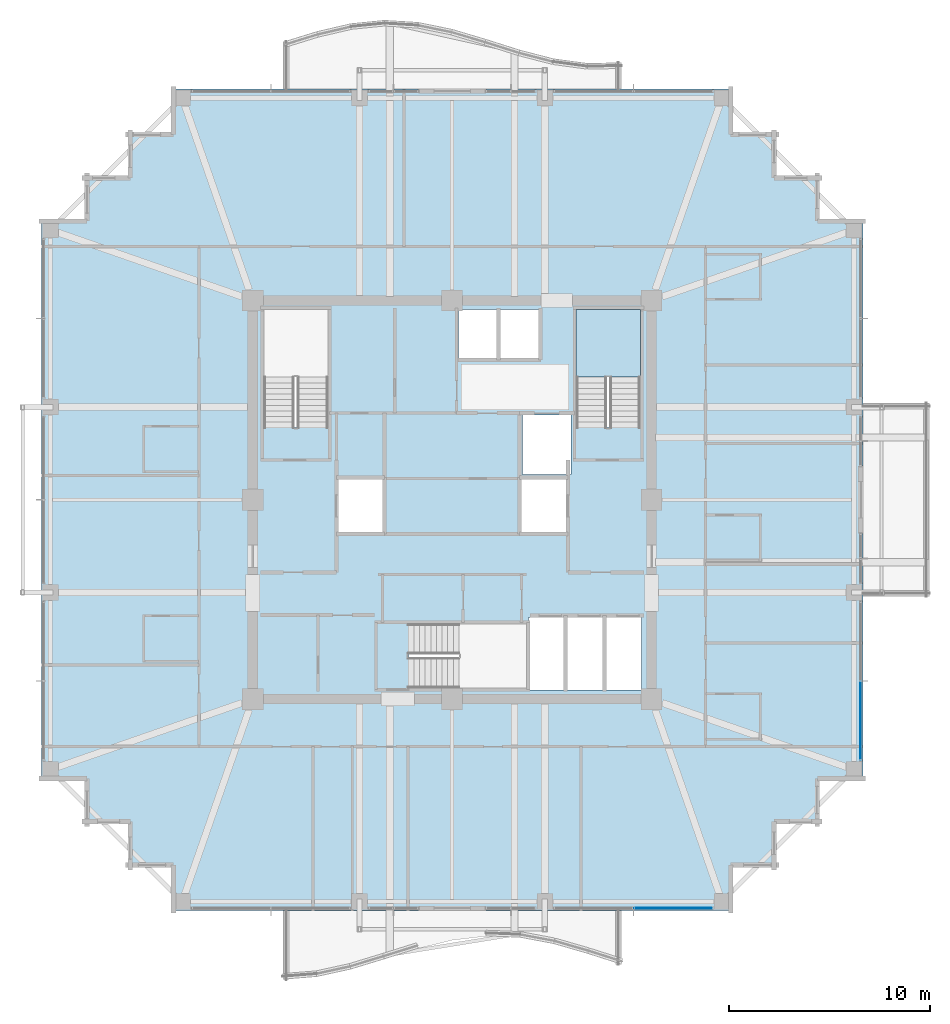
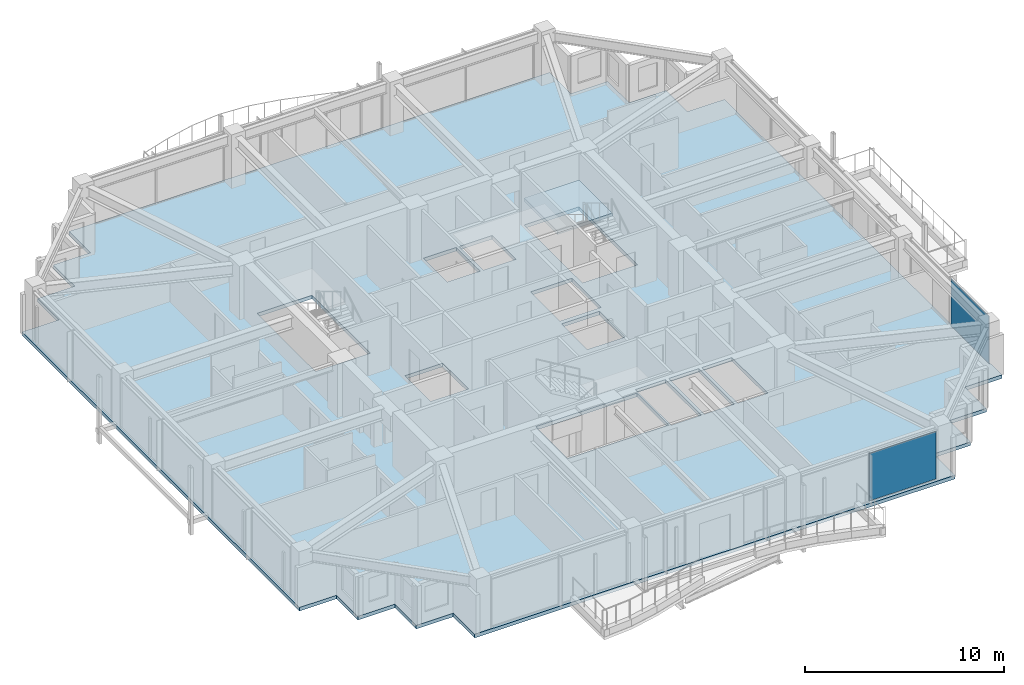
# One storey, part 28 of 38: 2 plates, 2 slabs, 3 elements without a shape of their own.
"""IFC4 building model written with IfcOpenShell, lengths in metres."""

from ifc_helpers import new_model, si_unit, direction, frame, origin, origin_2d, place, context, subcontext, project, spatial, polyline, rectangle, outline, extrude, material, layer, layer_set, type_object, element, aggregate, save


model = new_model("IFC4")

# Units and contexts
model_context = context("Model", 3, precision=1e-05, world=origin(), true_north=direction((0.0, 1.0)))
body_context = subcontext(model_context, "Body", "Model", "MODEL_VIEW")
ifc_project = project(units=[si_unit("LENGTHUNIT", "METRE"), si_unit("AREAUNIT", "SQUARE_METRE"), si_unit("VOLUMEUNIT", "CUBIC_METRE"), si_unit("PLANEANGLEUNIT", "RADIAN"), si_unit("MASSUNIT", "GRAM", prefix="KILO")], contexts=[model_context])

# Site, building, storey
site_placement = place(None, origin())
site = spatial("IfcSite", under=ifc_project, at=site_placement, CompositionType="ELEMENT")
building_placement = place(site_placement, origin())
building = spatial("IfcBuilding", under=site, at=building_placement, Name="Kolvaren Belvedere", CompositionType="ELEMENT")
storey_placement = place(building_placement, frame((0.0, 0.0, 206.39990234375)))
storey = spatial("IfcBuildingStorey", under=building, at=storey_placement, Name="L60", CompositionType="ELEMENT", Elevation=206.39990234375)

# Curtain wall, plate
ifc_material_1 = material(Name="Anodised pale-metal aluminium AA 6063-T6", Category="aluminium")
curtain_wall_type = type_object("IfcCurtainWallType", Name="CW-Z5-HIGH", PredefinedType="NOTDEFINED", material=ifc_material_1)
curtain_wall_1_placement = place(storey_placement, origin())
curtain_wall_1 = element("IfcCurtainWall", 1, at=curtain_wall_1_placement, inside=storey, type_object=curtain_wall_type, Name="L60 Unitised Curtain Wall FCW-L60-S1-B1", PredefinedType="NOTDEFINED")
ifc_material_2 = material(Name="Low-iron triple insulated glass", Category="glass")
ifc_layer_1 = layer(ifc_material_2, 0.028076171875)
ifc_layer_set_1 = layer_set([ifc_layer_1], Name="Low-iron triple insulated glass")
plate_type = type_object("IfcPlateType", Name="CW-PNL-VIS28", PredefinedType="CURTAIN_PANEL", material=ifc_layer_set_1)
plate_1_placement = place(storey_placement, frame((10.972412109375, -20.280029296875, 0.080078125), z_axis=(0.0, 0.0, 1.0), x_axis=(-1.0, 0.0, 0.0)))
plate_1 = element("IfcPlate", 2, at=plate_1_placement, type_object=plate_type, Name="FCW-L60-S1-B1 Vision Glazing Panel 1", PredefinedType="CURTAIN_PANEL", context=body_context, shape_type="SweptSolid", body=[
    extrude(rectangle(XDim=3.864990234375, YDim=0.028076171875, at=origin_2d()), origin(), (0.0, 0.0, 1.0), 2.919921875),
])
aggregate(curtain_wall_1, [plate_1])

curtain_wall_2_placement = place(storey_placement, origin())
curtain_wall_2 = element("IfcCurtainWall", 3, at=curtain_wall_2_placement, inside=storey, type_object=curtain_wall_type, Name="L60 Unitised Curtain Wall FCW-L60-E2-B2", PredefinedType="NOTDEFINED")
plate_2_placement = place(storey_placement, frame((20.280029296875, -10.972412109375, 0.080078125), z_axis=(0.0, 0.0, 1.0), x_axis=(0.0, -1.0, 0.0)))
plate_2 = element("IfcPlate", 4, at=plate_2_placement, type_object=plate_type, Name="FCW-L60-E2-B2 Vision Glazing Panel 2", PredefinedType="CURTAIN_PANEL", context=body_context, shape_type="SweptSolid", body=[
    extrude(rectangle(XDim=3.864990234375, YDim=0.028076171875, at=origin_2d()), origin(), (0.0, 0.0, 1.0), 2.919921875),
])
aggregate(curtain_wall_2, [plate_2])

# Slab
ifc_material_3 = material(Name="Concrete C50/60", Category="concrete")
ifc_layer_2 = layer(ifc_material_3, 0.219970703125)
ifc_layer_set_2 = layer_set([ifc_layer_2], Name="Concrete C50/60")
slab_type_1 = type_object("IfcSlabType", Name="SL-FLR-220", PredefinedType="FLOOR", material=ifc_layer_set_2)
slab_1_placement = place(storey_placement, frame((0.0, 0.0, -0.219970703125)))
element("IfcSlab", 5, at=slab_1_placement, inside=storey, type_object=slab_type_1, Name="L60 Primary Structural Slab", PredefinedType="FLOOR", context=body_context, shape_type="SweptSolid", body=[
    extrude(outline(polyline([(-13.949951171875, -20.39990234375), (13.949951171875, -20.39990234375), (13.949951171875, -18.25), (16.10009765625, -18.25), (16.10009765625, -16.10009765625), (18.25, -16.10009765625), (18.25, -13.949951171875), (20.39990234375, -13.949951171875), (20.39990234375, 13.949951171875), (18.25, 13.949951171875), (18.25, 16.10009765625), (16.10009765625, 16.10009765625), (16.10009765625, 18.25), (13.949951171875, 18.25), (13.949951171875, 20.39990234375), (-13.949951171875, 20.39990234375), (-13.949951171875, 18.25), (-16.10009765625, 18.25), (-16.10009765625, 16.10009765625), (-18.25, 16.10009765625), (-18.25, 13.949951171875), (-20.39990234375, 13.949951171875), (-20.39990234375, -13.949951171875), (-18.25, -13.949951171875), (-18.25, -16.10009765625), (-16.10009765625, -16.10009765625), (-16.10009765625, -18.25), (-13.949951171875, -18.25), (-13.949951171875, -20.39990234375)]), holes=[polyline([(-9.35009765625, 3.580078125), (-6.159912109375, 3.580078125), (-6.159912109375, 9.449951171875), (-9.35009765625, 9.449951171875), (-9.35009765625, 3.580078125)]), polyline([(6.159912109375, 3.580078125), (9.35009765625, 3.580078125), (9.35009765625, 9.449951171875), (6.159912109375, 9.449951171875), (6.159912109375, 3.580078125)]), polyline([(-2.169921875, -9.35009765625), (3.699951171875, -9.35009765625), (3.699951171875, -6.159912109375), (-2.169921875, -6.159912109375), (-2.169921875, -9.35009765625)]), polyline([(-5.64990234375, -1.60009765625), (-3.449951171875, -1.60009765625), (-3.449951171875, 1.0), (-5.64990234375, 1.0), (-5.64990234375, -1.60009765625)]), polyline([(3.5, 1.25), (5.89990234375, 1.25), (5.89990234375, 4.199951171875), (3.5, 4.199951171875), (3.5, 1.25)]), polyline([(3.449951171875, -1.60009765625), (5.64990234375, -1.60009765625), (5.64990234375, 1.0), (3.449951171875, 1.0), (3.449951171875, -1.60009765625)]), polyline([(3.7900390625, -9.449951171875), (5.5400390625, -9.449951171875), (5.5400390625, -5.85009765625), (3.7900390625, -5.85009765625), (3.7900390625, -9.449951171875)]), polyline([(5.719970703125, -9.449951171875), (7.469970703125, -9.449951171875), (7.469970703125, -5.85009765625), (5.719970703125, -5.85009765625), (5.719970703125, -9.449951171875)]), polyline([(7.64990234375, -9.449951171875), (9.39990234375, -9.449951171875), (9.39990234375, -5.85009765625), (7.64990234375, -5.85009765625), (7.64990234375, -9.449951171875)]), polyline([(0.320068359375, 7.050048828125), (2.219970703125, 7.050048828125), (2.219970703125, 9.449951171875), (0.320068359375, 9.449951171875), (0.320068359375, 7.050048828125)]), polyline([(2.39990234375, 7.050048828125), (4.300048828125, 7.050048828125), (4.300048828125, 9.449951171875), (2.39990234375, 9.449951171875), (2.39990234375, 7.050048828125)])]), origin(), (0.0, 0.0, 1.0), 0.219970703125),
])

# Stair, slab
ifc_material_4 = material(Name="Concrete C50/60", Category="concrete")
stair_type = type_object("IfcStairType", Name="ST-CORE-1520", PredefinedType="HALF_TURN_STAIR", material=ifc_material_4)
stair_placement = place(storey_placement, origin())
stair = element("IfcStair", 6, at=stair_placement, inside=storey, type_object=stair_type, Name="L60 Protected Exit Stair ST-2", PredefinedType="HALF_TURN_STAIR")
ifc_material_5 = material(Name="Concrete C50/60", Category="concrete")
ifc_layer_3 = layer(ifc_material_5, 0.260009765625)
ifc_layer_set_3 = layer_set([ifc_layer_3], Name="Concrete C50/60")
slab_type_2 = type_object("IfcSlabType", Name="SL-LAND-260", PredefinedType="LANDING", material=ifc_layer_set_3)
slab_2_placement = place(storey_placement, frame((0.0, 0.0, 1.4501953125)))
slab_2 = element("IfcSlab", 7, at=slab_2_placement, type_object=slab_type_2, Name="ST-2 landing 1", PredefinedType="LANDING", context=body_context, shape_type="SweptSolid", body=[
    extrude(outline(polyline([(9.35009765625, 6.090087890625), (9.35009765625, 9.449951171875), (6.159912109375, 9.449951171875), (6.159912109375, 6.090087890625), (9.35009765625, 6.090087890625)])), origin(), (0.0, 0.0, 1.0), 0.199951171875),
])
aggregate(stair, [slab_2])

save(model, "model.ifc")
